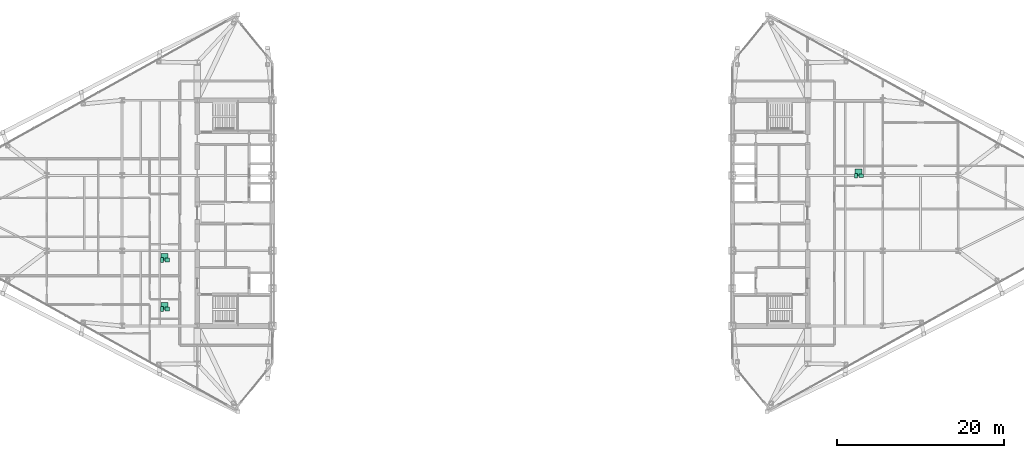
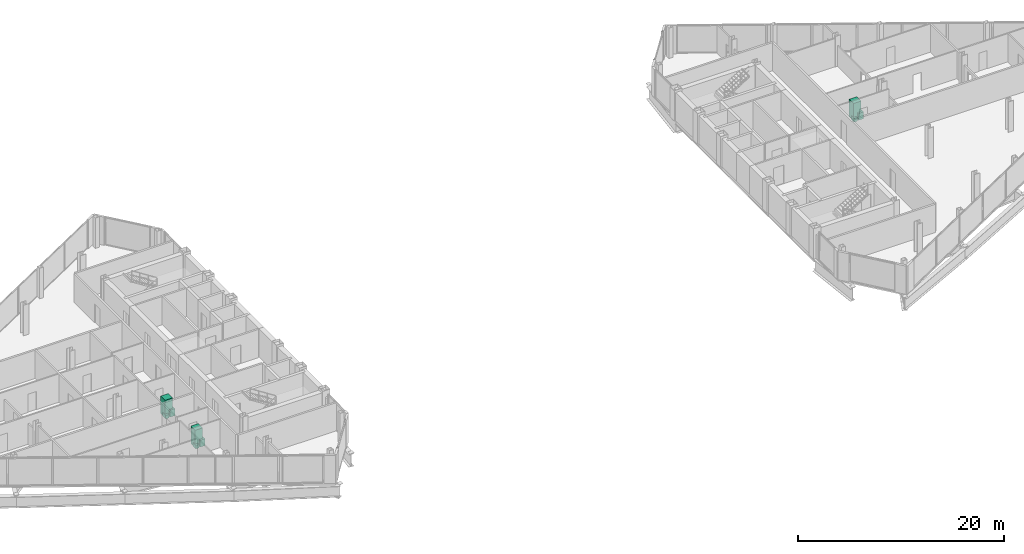
# One storey, part 28 of 28: 9 sanitary terminals.
"""IFC4 building model written with IfcOpenShell, lengths in metres."""

import ifcopenshell
import ifcopenshell.guid

model = None  # the IFC model being written
_history = None  # IfcOwnerHistory: only IFC2X3 demands one
_inside = {}  # id of a spatial element -> (the spatial element, [elements in it])
_under = {}  # id of a project, library or spatial element -> (it, [spatial elements below it])
_declared = {}  # id of a project -> (the project, [libraries it declares])
_typed = {}  # id of a type object -> (the type object, [elements of that type])
_made_of = {}  # id of a material, layer set ... -> (it, [elements and type objects made of it])


def new_model(schema):
    """Start an empty IFC model of exactly this schema.

    Asked for "IFC4X3", IfcOpenShell would pick the latest addendum, in which some entities
    have other attributes; the version numbers below select the first issue.
    IFC2X3 requires an IfcOwnerHistory on every rooted entity: one is made here for all.
    """
    global model, _history
    if schema == "IFC4X3":
        model = ifcopenshell.file(schema_version=(4, 3, 0, 0))
    else:
        model = ifcopenshell.file(schema=schema)
    _inside.clear()
    _under.clear()
    _declared.clear()
    _typed.clear()
    _made_of.clear()
    _history = None
    if model.schema == "IFC2X3":
        org = make("IfcOrganization", Name="unknown")
        user = make(
            "IfcPersonAndOrganization",
            ThePerson=make("IfcPerson", FamilyName="unknown"),
            TheOrganization=org,
        )
        app = make(
            "IfcApplication",
            ApplicationDeveloper=org,
            Version="unknown",
            ApplicationFullName="unknown",
            ApplicationIdentifier="unknown",
        )
        _history = make(
            "IfcOwnerHistory",
            OwningUser=user,
            OwningApplication=app,
            ChangeAction="ADDED",
            CreationDate=0,
        )
    return model


def make(cls, **values):
    """One entity of the class cls with the attributes given. An attribute that is None is left unset."""
    return model.create_entity(
        cls, **{name: value for name, value in values.items() if value is not None}
    )


def rooted(cls, **values):
    """An entity with a GlobalId (a new one), such as an element, a storey or a relation."""
    return make(cls, GlobalId=ifcopenshell.guid.new(), OwnerHistory=_history, **values)


def si_unit(unit_type, name, prefix=None):
    """IfcSIUnit, for example si_unit("LENGTHUNIT", "METRE", prefix="MILLI")."""
    return make("IfcSIUnit", UnitType=unit_type, Prefix=prefix, Name=name)


def assignment(units):
    """IfcUnitAssignment: the units of a project."""
    return None if units is None else make("IfcUnitAssignment", Units=units)


def point(xyz):
    """IfcCartesianPoint."""
    return None if xyz is None else make("IfcCartesianPoint", Coordinates=xyz)


def direction(xyz):
    """IfcDirection."""
    return None if xyz is None else make("IfcDirection", DirectionRatios=xyz)


def frame(location, z_axis=None, x_axis=None):
    """IfcAxis2Placement3D, a coordinate frame: its origin and axes. An axis left out is left unset."""
    return make(
        "IfcAxis2Placement3D",
        Location=point(location),
        Axis=direction(z_axis),
        RefDirection=direction(x_axis),
    )


def frame_2d(location, x_axis=None):
    """IfcAxis2Placement2D, a coordinate frame in the plane: its origin and x axis."""
    return make(
        "IfcAxis2Placement2D", Location=point(location), RefDirection=direction(x_axis)
    )


def origin():
    """The frame at (0, 0, 0) with its axes left unset."""
    return frame((0.0, 0.0, 0.0))


def origin_2d():
    """The frame at (0, 0) in the plane with its x axis left unset."""
    return frame_2d((0.0, 0.0))


def place(relative_to, where):
    """IfcLocalPlacement: puts the frame where relative to a parent placement (None: the world)."""
    return make(
        "IfcLocalPlacement", PlacementRelTo=relative_to, RelativePlacement=where
    )


def context(
    kind, dimensions, precision=None, world=None, true_north=None, identifier=None
):
    """IfcGeometricRepresentationContext, for example the 3D "Model" context."""
    return make(
        "IfcGeometricRepresentationContext",
        ContextIdentifier=identifier,
        ContextType=kind,
        CoordinateSpaceDimension=dimensions,
        Precision=precision,
        WorldCoordinateSystem=world,
        TrueNorth=true_north,
    )


def subcontext(parent, identifier, kind, view, scale=None):
    """IfcGeometricRepresentationSubContext, for example "Body" below "Model"."""
    return make(
        "IfcGeometricRepresentationSubContext",
        ContextIdentifier=identifier,
        ContextType=kind,
        ParentContext=parent,
        TargetScale=scale,
        TargetView=view,
    )


def project(units=None, contexts=None):
    """IfcProject with its units and contexts."""
    return rooted(
        "IfcProject",
        Name="project",
        RepresentationContexts=contexts,
        UnitsInContext=assignment(units),
    )


def spatial(cls, under=None, at=None, **own):
    """A site, building, storey or space (cls), placed at a placement, below another one or the project."""
    s = rooted(cls, ObjectPlacement=at, **own)
    if under is not None:
        _under.setdefault(under.id(), (under, []))[1].append(s)
    return s


def profile(cls, at=None, kind="AREA", **sizes):
    """A parametric profile (cls). Its sizes go by their IFC names, for example OverallWidth=200.0."""
    return make(cls, ProfileType=kind, Position=at, **sizes)


def rectangle(**sizes):
    """IfcRectangleProfileDef."""
    return profile("IfcRectangleProfileDef", **sizes)


def extrude(swept, where, along, depth):
    """IfcExtrudedAreaSolid: the profile swept, set in the frame where, extruded along a direction by depth."""
    return make(
        "IfcExtrudedAreaSolid",
        SweptArea=swept,
        Position=where,
        ExtrudedDirection=direction(along),
        Depth=depth,
    )


def shape(context_of_items, identifier, shape_type, items):
    """IfcShapeRepresentation: the items that make up one representation, for example the "Body"."""
    return make(
        "IfcShapeRepresentation",
        ContextOfItems=context_of_items,
        RepresentationIdentifier=identifier,
        RepresentationType=shape_type,
        Items=items,
    )


def source(mapping_origin, context_of_items, identifier, shape_type, items):
    """IfcRepresentationMap: a shape defined once, which mapped items show again and again."""
    return make(
        "IfcRepresentationMap",
        MappingOrigin=mapping_origin,
        MappedRepresentation=shape(context_of_items, identifier, shape_type, items),
    )


def transform(
    local_origin,
    x_axis=None,
    y_axis=None,
    z_axis=None,
    scale=None,
    scale2=None,
    scale3=None,
    uniform=True,
):
    """IfcCartesianTransformationOperator3D, or its non-uniform kind. x_axis, y_axis, z_axis: its Axis1, 2, 3."""
    if uniform:
        return make(
            "IfcCartesianTransformationOperator3D",
            Axis1=direction(x_axis),
            Axis2=direction(y_axis),
            LocalOrigin=point(local_origin),
            Scale=scale,
            Axis3=direction(z_axis),
        )
    return make(
        "IfcCartesianTransformationOperator3DnonUniform",
        Axis1=direction(x_axis),
        Axis2=direction(y_axis),
        LocalOrigin=point(local_origin),
        Scale=scale,
        Axis3=direction(z_axis),
        Scale2=scale2,
        Scale3=scale3,
    )


def mapped(mapping_source, mapping_target):
    """IfcMappedItem: shows the shape of a source again, moved by a transform."""
    return make(
        "IfcMappedItem", MappingSource=mapping_source, MappingTarget=mapping_target
    )


def material(Name=None, Category=None):
    """IfcMaterial."""
    return make("IfcMaterial", Name=Name, Category=Category)


def made_of(thing, what):
    """Note that an element or type object is made of a material, layer set ...; save() writes the relation."""
    if what is not None:
        _made_of.setdefault(what.id(), (what, []))[1].append(thing)
    return thing


def type_object(cls, material=None, **own):
    """A type object (cls), such as IfcWallType, which elements share."""
    return made_of(rooted(cls, **own), material)


def type_shapes(of_type, sources):
    """Give a type object the sources (RepresentationMaps) that its elements show as mapped items."""
    of_type.RepresentationMaps = sources


def element(
    cls,
    number,
    at=None,
    inside=None,
    cuts=None,
    type_object=None,
    material=None,
    context=None,
    identifier="Body",
    shape_type=None,
    held_by="IfcProductDefinitionShape",
    body=None,
    shapes=None,
    **own,
):
    """One element of the class cls, such as IfcWall. Its Tag is "e" and its number.

    at: its placement. inside: the storey or other place that contains it. cuts: it is an
    opening in that element (IfcRelVoidsElement). A single representation is given by context,
    identifier, shape_type and body (its items); several are given by shapes. held_by: the class
    of the entity that holds the representations. save() writes the other relations.
    """
    e = rooted(cls, Tag="e%d" % number, ObjectPlacement=at, **own)
    if body is not None:
        shapes = [shape(context, identifier, shape_type, body)]
    if shapes is not None:
        e.Representation = make(held_by, Representations=shapes)
    if inside is not None:
        _inside.setdefault(inside.id(), (inside, []))[1].append(e)
    if cuts is not None:
        rooted(
            "IfcRelVoidsElement", RelatingBuildingElement=cuts, RelatedOpeningElement=e
        )
    if type_object is not None:
        _typed.setdefault(type_object.id(), (type_object, []))[1].append(e)
    return made_of(e, material)


def aggregate(whole, parts):
    """IfcRelAggregates: a whole, such as a stair, and the parts it consists of."""
    return rooted("IfcRelAggregates", RelatingObject=whole, RelatedObjects=parts)


def save(model, path):
    """Write the relations noted so far, then the file.

    IfcRelAggregates (storeys below a building ...), IfcRelContainedInSpatialStructure (elements
    in a storey), IfcRelDefinesByType, IfcRelAssociatesMaterial and IfcRelDeclares: one each for
    every whole, place, type object, material and project.
    """
    for whole, parts in _under.values():
        aggregate(whole, parts)
    for where, things in _inside.values():
        rooted(
            "IfcRelContainedInSpatialStructure",
            RelatedElements=things,
            RelatingStructure=where,
        )
    for kind, things in _typed.values():
        rooted("IfcRelDefinesByType", RelatedObjects=things, RelatingType=kind)
    for what, things in _made_of.values():
        rooted("IfcRelAssociatesMaterial", RelatedObjects=things, RelatingMaterial=what)
    for by, libraries in _declared.values():
        rooted("IfcRelDeclares", RelatingContext=by, RelatedDefinitions=libraries)
    model.write(path)


model = new_model("IFC4")

# Units and contexts
model_context = context("Model", 3, precision=1e-05, world=origin(), true_north=direction((0.0, 1.0)))
body_context = subcontext(model_context, "Body", "Model", "MODEL_VIEW")
ifc_project = project(units=[si_unit("LENGTHUNIT", "METRE"), si_unit("AREAUNIT", "SQUARE_METRE"), si_unit("VOLUMEUNIT", "CUBIC_METRE"), si_unit("PLANEANGLEUNIT", "RADIAN"), si_unit("MASSUNIT", "GRAM", prefix="KILO")], contexts=[model_context])

# Site, building, storey
site_placement = place(None, origin())
site = spatial("IfcSite", under=ifc_project, at=site_placement, CompositionType="ELEMENT")
building_placement = place(site_placement, origin())
building = spatial("IfcBuilding", under=site, at=building_placement, Name="Seokmaru Belvedere", CompositionType="ELEMENT")
storey_placement = place(building_placement, frame((0.0, 0.0, 158.39990234375)))
storey = spatial("IfcBuildingStorey", under=building, at=storey_placement, Name="L42", CompositionType="ELEMENT", Elevation=158.39990234375)

# Sanitary terminals
ifc_material_1 = material(Name="Vitreous China Sanitaryware")
sanitary_terminal_type_1 = type_object("IfcSanitaryTerminalType", Name="Wall-Hung Vitreous China WC Pan", PredefinedType="TOILETPAN", material=ifc_material_1)
shared_shape_1 = source(origin(), body_context, "Body", "SweptSolid", [
    extrude(rectangle(XDim=0.3798828125, YDim=0.56005859375, at=origin_2d()), origin(), (0.0, 0.0, 1.0), 0.419921875),
])
type_shapes(sanitary_terminal_type_1, [shared_shape_1])
for number, where, z_axis, x_axis, name in (
    (1, (-40.699951171875, -11.469970703125, 0.000244140625), (0.0, 0.0, 1.0), (1.0, 0.0, 0.0), "L42 Vitreous China WC 0229"),
    (2, (-40.699951171875, -5.611083984375, 0.000244140625), (0.0, 0.0, 1.0), (1.0, 0.0, 0.0), "L42 Vitreous China WC 0230"),
    (3, (42.300048828125, 4.469970703125, 0.000244140625), (0.0, 0.0, 1.0), (1.0, 0.0, 0.0), "L42 Vitreous China WC 0231"),
):
    element("IfcSanitaryTerminal", number, at=place(storey_placement, frame(where, z_axis=z_axis, x_axis=x_axis)), inside=storey, type_object=sanitary_terminal_type_1, Name=name, PredefinedType="TOILETPAN", context=body_context, shape_type="MappedRepresentation", body=[
        mapped(shared_shape_1, transform((0.0, 0.0, 0.0), scale=1.0)),
    ])
sanitary_terminal_type_2 = type_object("IfcSanitaryTerminalType", Name="Countertop Ceramic Washhand Basin", PredefinedType="WASHHANDBASIN", material=ifc_material_1)
shared_shape_2 = source(origin(), body_context, "Body", "SweptSolid", [
    extrude(rectangle(XDim=0.550048828125, YDim=0.449951171875, at=origin_2d()), origin(), (0.0, 0.0, 1.0), 0.820068359375),
])
type_shapes(sanitary_terminal_type_2, [shared_shape_2])
for number, where, z_axis, x_axis, name in (
    (4, (-40.10009765625, -11.469970703125, 0.0), (0.0, 0.0, 1.0), (1.0, 0.0, 0.0), "L42 Ceramic Washhand Basin 0229"),
    (5, (-40.10009765625, -5.611083984375, 0.0), (0.0, 0.0, 1.0), (1.0, 0.0, 0.0), "L42 Ceramic Washhand Basin 0230"),
    (6, (42.89990234375, 4.469970703125, 0.0), (0.0, 0.0, 1.0), (1.0, 0.0, 0.0), "L42 Ceramic Washhand Basin 0231"),
):
    element("IfcSanitaryTerminal", number, at=place(storey_placement, frame(where, z_axis=z_axis, x_axis=x_axis)), inside=storey, type_object=sanitary_terminal_type_2, Name=name, PredefinedType="WASHHANDBASIN", context=body_context, shape_type="MappedRepresentation", body=[
        mapped(shared_shape_2, transform((0.0, 0.0, 0.0), scale=1.0)),
    ])
ifc_material_2 = material(Name="Stainless Steel 316", Category="steel")
sanitary_terminal_type_3 = type_object("IfcSanitaryTerminalType", Name="Walk-In Thermostatic Rain Shower Enclosure", PredefinedType="SHOWER", material=ifc_material_2)
shared_shape_3 = source(origin(), body_context, "Body", "SweptSolid", [
    extrude(rectangle(XDim=0.85009765625, YDim=0.85009765625, at=origin_2d()), origin(), (0.0, 0.0, 1.0), 2.050048828125),
])
type_shapes(sanitary_terminal_type_3, [shared_shape_3])
for number, where, z_axis, x_axis, name in (
    (7, (-40.39990234375, -11.090087890625, 0.0), (0.0, 0.0, 1.0), (1.0, 0.0, 0.0), "L42 Walk-In Shower 0229"),
    (8, (-40.39990234375, -5.23095703125, 0.0), (0.0, 0.0, 1.0), (1.0, 0.0, 0.0), "L42 Walk-In Shower 0230"),
    (9, (42.60009765625, 4.85009765625, 0.0), (0.0, 0.0, 1.0), (1.0, 0.0, 0.0), "L42 Walk-In Shower 0231"),
):
    element("IfcSanitaryTerminal", number, at=place(storey_placement, frame(where, z_axis=z_axis, x_axis=x_axis)), inside=storey, type_object=sanitary_terminal_type_3, Name=name, PredefinedType="SHOWER", context=body_context, shape_type="MappedRepresentation", body=[
        mapped(shared_shape_3, transform((0.0, 0.0, 0.0), scale=1.0)),
    ])

save(model, "model.ifc")
